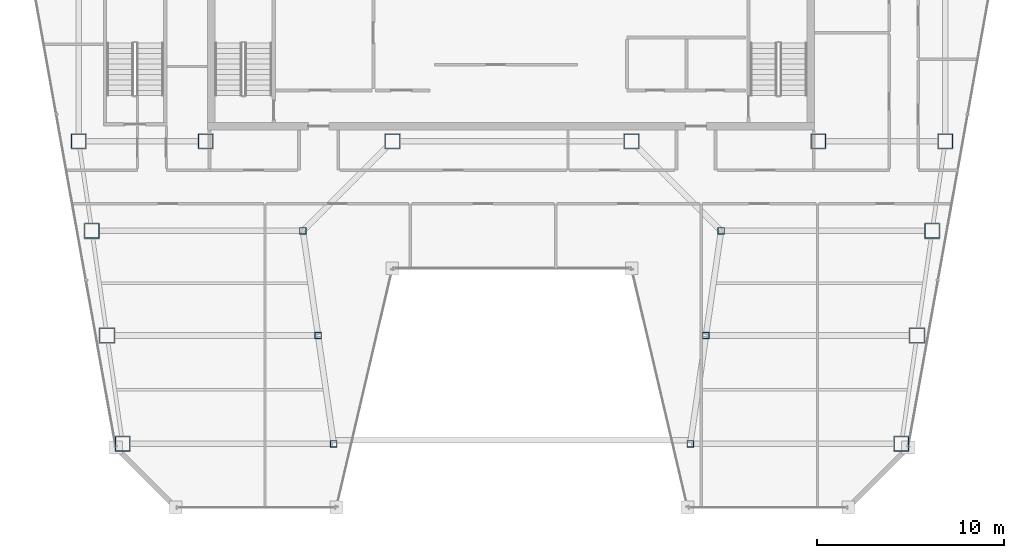
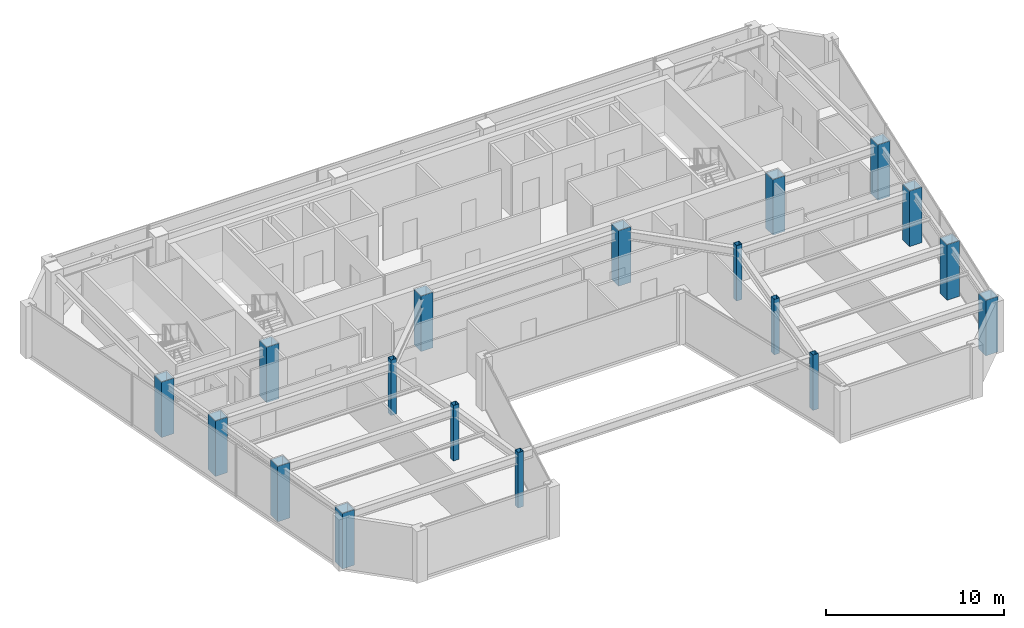
# One storey, part 1 of 32: 18 columns.
"""IFC4 building model written with IfcOpenShell, lengths in metres."""

from ifc_helpers import new_model, si_unit, direction, frame, origin, origin_2d, place, context, subcontext, project, spatial, hollow_rectangle, extrude, material, material_profile, profile_set, type_object, element, save


model = new_model("IFC4")

# Units and contexts
model_context = context("Model", 3, precision=1e-05, world=origin(), true_north=direction((0.0, 1.0)))
body_context = subcontext(model_context, "Body", "Model", "MODEL_VIEW")
ifc_project = project(units=[si_unit("LENGTHUNIT", "METRE"), si_unit("AREAUNIT", "SQUARE_METRE"), si_unit("VOLUMEUNIT", "CUBIC_METRE"), si_unit("PLANEANGLEUNIT", "RADIAN"), si_unit("MASSUNIT", "GRAM", prefix="KILO")], contexts=[model_context])

# Site, building, storey
site_placement = place(None, origin())
site = spatial("IfcSite", under=ifc_project, at=site_placement, CompositionType="ELEMENT")
building_placement = place(site_placement, origin())
building = spatial("IfcBuilding", under=site, at=building_placement, Name="Saevonmaru Cultural Tower", CompositionType="ELEMENT")
storey_placement = place(building_placement, frame((0.0, 0.0, 257.199951171875)))
storey = spatial("IfcBuildingStorey", under=building, at=storey_placement, Name="L60", CompositionType="ELEMENT", Elevation=257.199951171875)

# Columns
ifc_material_1 = material(Name="Steel SM420", Category="steel")
ifc_material_profile_1 = material_profile(ifc_material_1, hollow_rectangle(XDim=0.800048828125, YDim=0.800048828125, WallThickness=0.035888671875, at=origin_2d()), Name="BOX-800x800x36")
ifc_profile_set_1 = profile_set([ifc_material_profile_1], Name="Steel SM420")
column_type_1 = type_object("IfcColumnType", Name="COL-BOX-800", PredefinedType="COLUMN", material=ifc_profile_set_1)
for number, where, z_axis, x_axis, name in (
    (1, (6.800048828125, 42.39990234375, 0.0), (0.0, 0.0, 1.0), (1.0, 0.0, 0.0), "L60 Column TC-S1C"),
    (2, (13.60009765625, 42.39990234375, 0.0), (0.0, 0.0, 1.0), (1.0, 0.0, 0.0), "L60 Column TC-S2C"),
    (3, (23.60009765625, 42.39990234375, 0.0), (0.0, 0.0, 1.0), (1.0, 0.0, 0.0), "L60 Column TC-S3C"),
    (4, (36.39990234375, 42.39990234375, 0.0), (0.0, 0.0, 1.0), (1.0, 0.0, 0.0), "L60 Column TC-S4C"),
    (5, (46.39990234375, 42.39990234375, 0.0), (0.0, 0.0, 1.0), (1.0, 0.0, 0.0), "L60 Column TC-S5C"),
    (6, (53.199951171875, 42.39990234375, 0.0), (0.0, 0.0, 1.0), (1.0, 0.0, 0.0), "L60 Column TC-S6C"),
    (7, (9.154052734375, 26.199951171875, 0.0), (0.0, 0.0, 1.0), (1.0, 0.0, 0.0), "L60 Column TC-WO-Y262"),
    (8, (50.845947265625, 26.199951171875, 0.0), (0.0, 0.0, 1.0), (1.0, 0.0, 0.0), "L60 Column TC-EO-Y262"),
    (9, (8.31689453125, 32.0, 0.0), (0.0, 0.0, 1.0), (1.0, 0.0, 0.0), "L60 Column TC-WO-Y320"),
    (10, (51.68310546875, 32.0, 0.0), (0.0, 0.0, 1.0), (1.0, 0.0, 0.0), "L60 Column TC-EO-Y320"),
    (11, (7.508056640625, 37.60009765625, 0.0), (0.0, 0.0, 1.0), (1.0, 0.0, 0.0), "L60 Column TC-WO-Y376"),
    (12, (52.491943359375, 37.60009765625, 0.0), (0.0, 0.0, 1.0), (1.0, 0.0, 0.0), "L60 Column TC-EO-Y376"),
):
    element("IfcColumn", number, at=place(storey_placement, frame(where, z_axis=z_axis, x_axis=x_axis)), inside=storey, type_object=column_type_1, Name=name, PredefinedType="COLUMN", context=body_context, shape_type="SweptSolid", body=[
        extrude(hollow_rectangle(XDim=0.800048828125, YDim=0.800048828125, WallThickness=0.035888671875, at=origin_2d()), origin(), (0.0, 0.0, 1.0), 3.800048828125),
    ])
ifc_material_2 = material(Name="Steel SM355", Category="steel")
ifc_material_profile_2 = material_profile(ifc_material_2, hollow_rectangle(XDim=0.35009765625, YDim=0.35009765625, WallThickness=0.01611328125, at=origin_2d()), Name="SHS-350x350x16")
ifc_profile_set_2 = profile_set([ifc_material_profile_2], Name="Steel SM355")
column_type_2 = type_object("IfcColumnType", Name="COL-SHS-350", PredefinedType="COLUMN", material=ifc_profile_set_2)
for number, where, z_axis, x_axis, name in (
    (13, (20.4541015625, 26.199951171875, 0.0), (0.0, 0.0, 1.0), (1.0, 0.0, 0.0), "L60 Column TC-WI-Y262"),
    (14, (39.5458984375, 26.199951171875, 0.0), (0.0, 0.0, 1.0), (1.0, 0.0, 0.0), "L60 Column TC-EI-Y262"),
    (15, (19.616943359375, 32.0, 0.0), (0.0, 0.0, 1.0), (1.0, 0.0, 0.0), "L60 Column TC-WI-Y320"),
    (16, (40.383056640625, 32.0, 0.0), (0.0, 0.0, 1.0), (1.0, 0.0, 0.0), "L60 Column TC-EI-Y320"),
    (17, (18.80810546875, 37.60009765625, 0.0), (0.0, 0.0, 1.0), (1.0, 0.0, 0.0), "L60 Column TC-WI-Y376"),
    (18, (41.19189453125, 37.60009765625, 0.0), (0.0, 0.0, 1.0), (1.0, 0.0, 0.0), "L60 Column TC-EI-Y376"),
):
    element("IfcColumn", number, at=place(storey_placement, frame(where, z_axis=z_axis, x_axis=x_axis)), inside=storey, type_object=column_type_2, Name=name, PredefinedType="COLUMN", context=body_context, shape_type="SweptSolid", body=[
        extrude(hollow_rectangle(XDim=0.35009765625, YDim=0.35009765625, WallThickness=0.01611328125, at=origin_2d()), origin(), (0.0, 0.0, 1.0), 3.800048828125),
    ])

save(model, "model.ifc")
